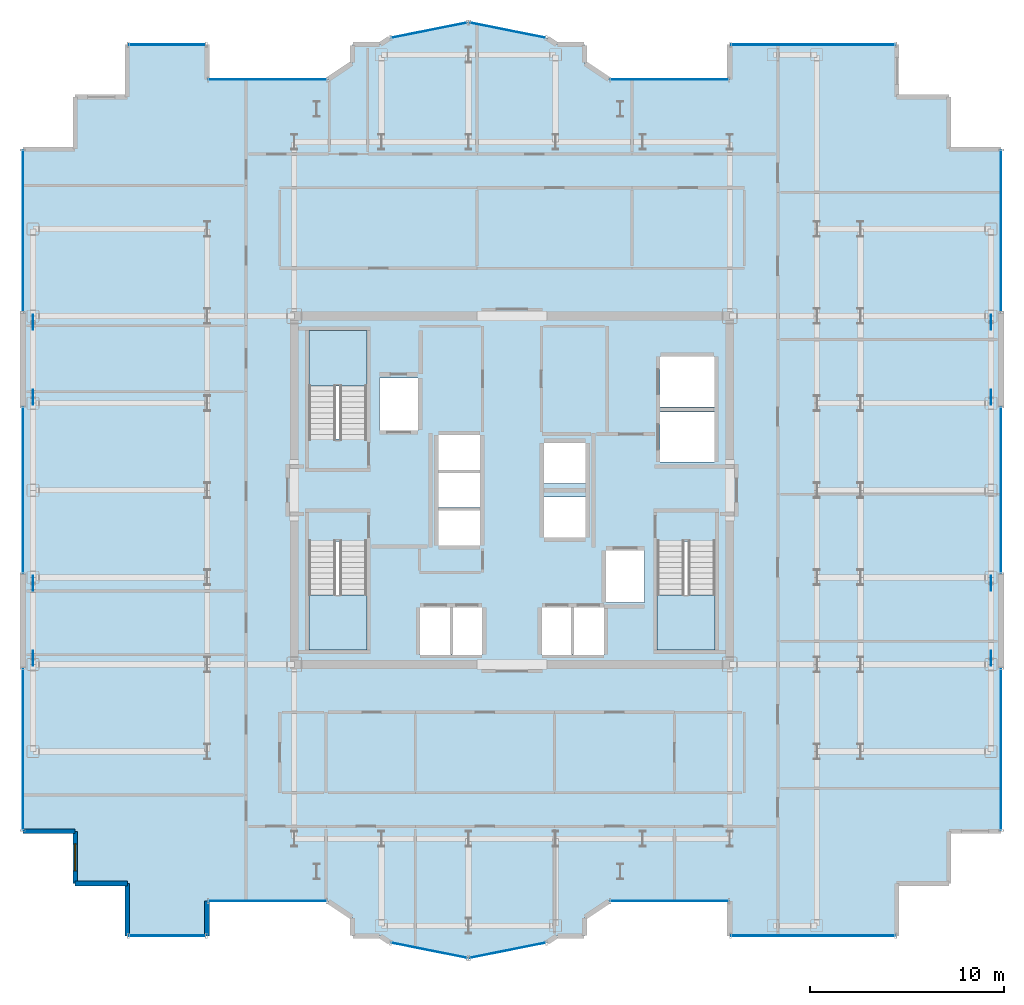
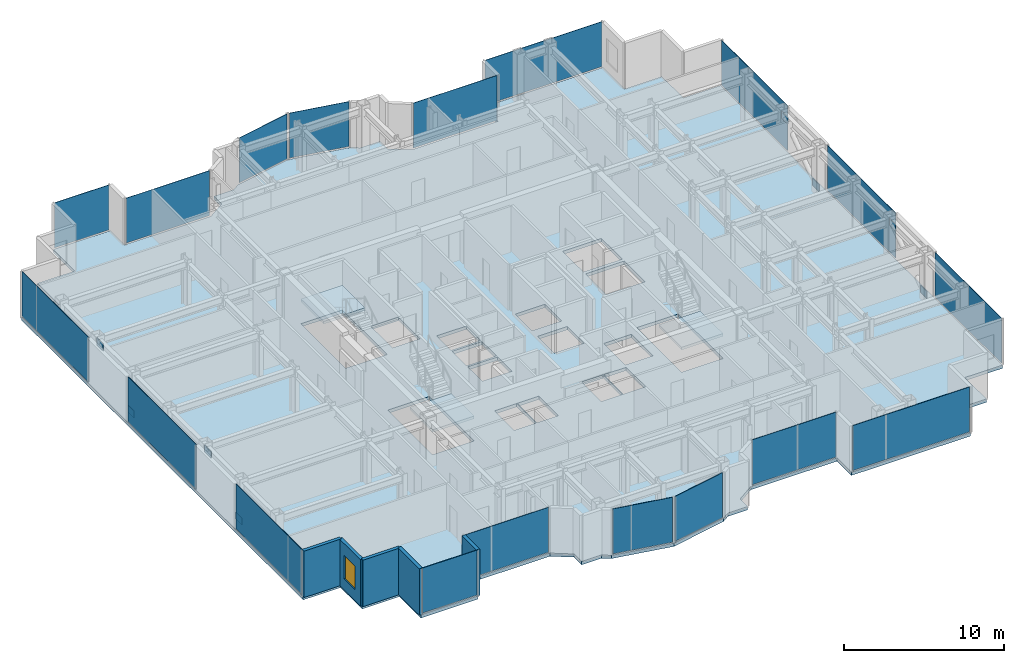
# One storey, part 14 of 21: 26 plates, 5 walls, 4 slabs, 1 window, 1 opening, 21 elements without a shape of their own.
"""IFC4 building model written with IfcOpenShell, lengths in metres."""

from ifc_helpers import new_model, si_unit, direction, frame, frame_2d, origin, origin_2d, place, context, subcontext, project, spatial, polyline, rectangle, outline, extrude, source, transform, mapped, material, layer, layer_set, type_object, element, fill, aggregate, save


model = new_model("IFC4")

# Units and contexts
model_context = context("Model", 3, precision=1e-05, world=origin(), true_north=direction((0.0, 1.0)))
body_context = subcontext(model_context, "Body", "Model", "MODEL_VIEW")
ifc_project = project(units=[si_unit("LENGTHUNIT", "METRE"), si_unit("AREAUNIT", "SQUARE_METRE"), si_unit("VOLUMEUNIT", "CUBIC_METRE"), si_unit("PLANEANGLEUNIT", "RADIAN"), si_unit("MASSUNIT", "GRAM", prefix="KILO")], contexts=[model_context])

# Site, building, storey
site_placement = place(None, origin())
site = spatial("IfcSite", under=ifc_project, at=site_placement, CompositionType="ELEMENT")
building_placement = place(site_placement, origin())
building = spatial("IfcBuilding", under=site, at=building_placement, Name="Nefas-Gora Pilgrimage Tower", CompositionType="ELEMENT")
storey_placement = place(building_placement, frame((0.0, 0.0, 229.39990234375)))
storey = spatial("IfcBuildingStorey", under=building, at=storey_placement, Name="L57", CompositionType="ELEMENT", Elevation=229.39990234375)

# Slab
ifc_material_1 = material(Name="Concrete C40/50", Category="concrete")
ifc_layer_1 = layer(ifc_material_1, 0.25)
ifc_layer_set_1 = layer_set([ifc_layer_1], Name="Concrete C40/50")
slab_type_1 = type_object("IfcSlabType", Name="SLB-TWR-260", PredefinedType="FLOOR", material=ifc_layer_set_1)
slab_1_placement = place(storey_placement, frame((0.0, 0.0, -0.25)))
element("IfcSlab", 1, at=slab_1_placement, inside=storey, type_object=slab_type_1, Name="L57 Structural Floor Slab", PredefinedType="FLOOR", context=body_context, shape_type="SweptSolid", body=[
    extrude(outline(polyline([(5.01806640625, -21.219970703125), (11.25, -21.219970703125), (11.25, -23.02001953125), (19.8701171875, -23.02001953125), (19.8701171875, -20.320068359375), (22.570068359375, -20.320068359375), (22.570068359375, -17.6201171875), (25.27001953125, -17.6201171875), (25.27001953125, 17.6201171875), (22.570068359375, 17.6201171875), (22.570068359375, 20.320068359375), (19.8701171875, 20.320068359375), (19.8701171875, 23.02001953125), (11.25, 23.02001953125), (11.25, 21.219970703125), (5.01806640625, 21.219970703125), (3.75, 22.0673828125), (3.75, 23.02001953125), (2.32421875, 23.02001953125), (1.807373046875, 23.365234375), (-2.25, 24.17236328125), (-6.307373046875, 23.365234375), (-6.82421875, 23.02001953125), (-8.25, 23.02001953125), (-8.25, 22.0673828125), (-9.51806640625, 21.219970703125), (-15.75, 21.219970703125), (-15.75, 23.02001953125), (-19.8701171875, 23.02001953125), (-19.8701171875, 20.320068359375), (-22.570068359375, 20.320068359375), (-22.570068359375, 17.6201171875), (-25.27001953125, 17.6201171875), (-25.27001953125, -17.6201171875), (-22.570068359375, -17.6201171875), (-22.570068359375, -20.320068359375), (-19.8701171875, -20.320068359375), (-19.8701171875, -23.02001953125), (-15.75, -23.02001953125), (-15.75, -21.219970703125), (-9.51806640625, -21.219970703125), (-8.25, -22.0673828125), (-8.25, -23.02001953125), (-6.82421875, -23.02001953125), (-6.307373046875, -23.365234375), (-2.25, -24.17236328125), (1.807373046875, -23.365234375), (2.32421875, -23.02001953125), (3.75, -23.02001953125), (3.75, -22.0673828125), (5.01806640625, -21.219970703125)]), holes=[polyline([(-10.5, 2.639892578125), (-10.5, 8.25), (-7.5, 8.25), (-7.5, 2.639892578125), (-10.5, 2.639892578125)]), polyline([(10.5, -2.639892578125), (10.5, -8.25), (7.5, -8.25), (7.5, -2.639892578125), (10.5, -2.639892578125)]), polyline([(-7.5, -2.639892578125), (-7.5, -8.25), (-10.5, -8.25), (-10.5, -2.639892578125), (-7.5, -2.639892578125)]), polyline([(-6.85009765625, 5.800048828125), (-4.85009765625, 5.800048828125), (-4.85009765625, 3.10009765625), (-6.85009765625, 3.10009765625), (-6.85009765625, 5.800048828125)]), polyline([(4.85009765625, -3.10009765625), (6.85009765625, -3.10009765625), (6.85009765625, -5.800048828125), (4.85009765625, -5.800048828125), (4.85009765625, -3.10009765625)]), polyline([(7.64990234375, 4.050048828125), (10.449951171875, 4.050048828125), (10.449951171875, 1.449951171875), (7.64990234375, 1.449951171875), (7.64990234375, 4.050048828125)]), polyline([(7.64990234375, 6.89990234375), (10.449951171875, 6.89990234375), (10.449951171875, 4.300048828125), (7.64990234375, 4.300048828125), (7.64990234375, 6.89990234375)]), polyline([(-4.75, -6.050048828125), (-3.14990234375, -6.050048828125), (-3.14990234375, -8.5), (-4.75, -8.5), (-4.75, -6.050048828125)]), polyline([(-3.10009765625, -6.050048828125), (-1.550048828125, -6.050048828125), (-1.550048828125, -8.5), (-3.10009765625, -8.5), (-3.10009765625, -6.050048828125)]), polyline([(1.550048828125, -6.050048828125), (3.10009765625, -6.050048828125), (3.10009765625, -8.5), (1.550048828125, -8.5), (1.550048828125, -6.050048828125)]), polyline([(3.14990234375, -6.050048828125), (4.75, -6.050048828125), (4.75, -8.5), (3.14990234375, -8.5), (3.14990234375, -6.050048828125)]), polyline([(-3.800048828125, -1.050048828125), (-1.64990234375, -1.050048828125), (-1.64990234375, -2.85009765625), (-3.800048828125, -2.85009765625), (-3.800048828125, -1.050048828125)]), polyline([(-3.800048828125, 0.89990234375), (-1.64990234375, 0.89990234375), (-1.64990234375, -0.89990234375), (-3.800048828125, -0.89990234375), (-3.800048828125, 0.89990234375)]), polyline([(-3.800048828125, 2.85009765625), (-1.64990234375, 2.85009765625), (-1.64990234375, 1.050048828125), (-3.800048828125, 1.050048828125), (-3.800048828125, 2.85009765625)]), polyline([(1.64990234375, -0.35009765625), (3.800048828125, -0.35009765625), (3.800048828125, -2.449951171875), (1.64990234375, -2.449951171875), (1.64990234375, -0.35009765625)]), polyline([(1.64990234375, 2.449951171875), (3.800048828125, 2.449951171875), (3.800048828125, 0.35009765625), (1.64990234375, 0.35009765625), (1.64990234375, 2.449951171875)])]), origin(), (0.0, 0.0, 1.0), 0.25),
])

# Stair, slab
ifc_material_2 = material(Name="Concrete C45/55", Category="concrete")
stair_type = type_object("IfcStairType", Name="STR-1400-R1727", PredefinedType="HALF_TURN_STAIR", material=ifc_material_2)
stair_1_placement = place(storey_placement, origin())
stair_1 = element("IfcStair", 2, at=stair_1_placement, inside=storey, type_object=stair_type, Name="L57 Pressurised Tower Exit Stair ST-01", PredefinedType="HALF_TURN_STAIR")
ifc_layer_2 = layer(ifc_material_1, 0.199951171875)
ifc_layer_set_2 = layer_set([ifc_layer_2], Name="Concrete C40/50")
slab_type_2 = type_object("IfcSlabType", Name="STR-LAND-200", PredefinedType="LANDING", material=ifc_layer_set_2)
slab_2_placement = place(storey_placement, frame((0.0, 0.0, 1.7001953125)))
slab_2 = element("IfcSlab", 3, at=slab_2_placement, type_object=slab_type_2, Name="ST-01 landing 1", PredefinedType="LANDING", context=body_context, shape_type="SweptSolid", body=[
    extrude(outline(polyline([(-7.5, 5.39990234375), (-7.5, 8.25), (-10.5, 8.25), (-10.5, 5.39990234375), (-7.5, 5.39990234375)])), origin(), (0.0, 0.0, 1.0), 0.199951171875),
])
aggregate(stair_1, [slab_2])

stair_2_placement = place(storey_placement, origin())
stair_2 = element("IfcStair", 4, at=stair_2_placement, inside=storey, type_object=stair_type, Name="L57 Pressurised Tower Exit Stair ST-02", PredefinedType="HALF_TURN_STAIR")
slab_3_placement = place(storey_placement, frame((0.0, 0.0, 1.7001953125)))
slab_3 = element("IfcSlab", 5, at=slab_3_placement, type_object=slab_type_2, Name="ST-02 landing 1", PredefinedType="LANDING", context=body_context, shape_type="SweptSolid", body=[
    extrude(outline(polyline([(7.5, -5.39990234375), (7.5, -8.25), (10.5, -8.25), (10.5, -5.39990234375), (7.5, -5.39990234375)])), origin(), (0.0, 0.0, 1.0), 0.199951171875),
])
aggregate(stair_2, [slab_3])

stair_3_placement = place(storey_placement, origin())
stair_3 = element("IfcStair", 6, at=stair_3_placement, inside=storey, type_object=stair_type, Name="L57 Pressurised Tower Exit Stair ST-03", PredefinedType="HALF_TURN_STAIR")
slab_4_placement = place(storey_placement, frame((0.0, 0.0, 1.7001953125)))
slab_4 = element("IfcSlab", 7, at=slab_4_placement, type_object=slab_type_2, Name="ST-03 landing 1", PredefinedType="LANDING", context=body_context, shape_type="SweptSolid", body=[
    extrude(outline(polyline([(-10.5, -5.39990234375), (-10.5, -8.25), (-7.5, -8.25), (-7.5, -5.39990234375), (-10.5, -5.39990234375)])), origin(), (0.0, 0.0, 1.0), 0.199951171875),
])
aggregate(stair_3, [slab_4])

# Plates
ifc_material_3 = material(Name="Steel S460", Category="steel")
ifc_layer_3 = layer(ifc_material_3, 0.050048828125)
ifc_layer_set_3 = layer_set([ifc_layer_3], Name="Steel S460")
plate_type_1 = type_object("IfcPlateType", Name="PLT-NODE-N08", PredefinedType="USERDEFINED", material=ifc_layer_set_3)
shared_shape_1 = source(origin(), body_context, "Body", "SweptSolid", [
    extrude(rectangle(XDim=0.780029296875, YDim=0.0380859375, at=origin_2d()), origin(), (0.0, 0.0, 1.0), 0.5400390625),
])
for number, where, z_axis, x_axis, name in (
    (8, (-24.75, -8.68701171875, 0.10400390625), (0.0, 0.0, 1.0), (0.0, 1.0, 0.0), "Structural Node Gusset Plate N08 (L57)"),
    (9, (-24.75, -4.81298828125, 2.8759765625), (0.0, 0.0, 1.0), (0.0, 1.0, 0.0), "Structural Node Gusset Plate N08 (L57)"),
    (10, (-24.75, 4.81298828125, 0.10400390625), (0.0, 0.0, 1.0), (0.0, 1.0, 0.0), "Structural Node Gusset Plate N08 (L57)"),
    (11, (-24.75, 8.68701171875, 2.8759765625), (0.0, 0.0, 1.0), (0.0, 1.0, 0.0), "Structural Node Gusset Plate N08 (L57)"),
    (12, (24.75, -8.68701171875, 0.10400390625), (0.0, 0.0, 1.0), (0.0, 1.0, 0.0), "Structural Node Gusset Plate N08 (L57)"),
    (13, (24.75, -4.81298828125, 2.8759765625), (0.0, 0.0, 1.0), (0.0, 1.0, 0.0), "Structural Node Gusset Plate N08 (L57)"),
    (14, (24.75, 4.81298828125, 0.10400390625), (0.0, 0.0, 1.0), (0.0, 1.0, 0.0), "Structural Node Gusset Plate N08 (L57)"),
    (15, (24.75, 8.68701171875, 2.8759765625), (0.0, 0.0, 1.0), (0.0, 1.0, 0.0), "Structural Node Gusset Plate N08 (L57)"),
):
    element("IfcPlate", number, at=place(storey_placement, frame(where, z_axis=z_axis, x_axis=x_axis)), inside=storey, type_object=plate_type_1, Name=name, ObjectType="GUSSET_PLATE", PredefinedType="USERDEFINED", context=body_context, shape_type="MappedRepresentation", body=[
        mapped(shared_shape_1, transform((0.0, 0.0, 0.0), x_axis=(1.0, 0.0, 0.0), y_axis=(0.0, 1.0, 0.0), z_axis=(0.0, 0.0, 1.0), scale=1.0)),
    ])

# Curtain wall, plate
ifc_material_4 = material(Name="Dark ceramic-fritted solar-control aluminium-glass curtain wall", Category="aluminium")
ifc_layer_4 = layer(ifc_material_4, 0.219970703125)
ifc_layer_set_4 = layer_set([ifc_layer_4], Name="Dark ceramic-fritted solar-control aluminium-glass curtain wall")
curtain_wall_type_1 = type_object("IfcCurtainWallType", Name="CW-SYS-5", PredefinedType="NOTDEFINED", material=ifc_layer_set_4)
curtain_wall_1_placement = place(storey_placement, origin())
curtain_wall_1 = element("IfcCurtainWall", 16, at=curtain_wall_1_placement, inside=storey, type_object=curtain_wall_type_1, Name="L57 Unitised Curtain Wall CW5", PredefinedType="NOTDEFINED")
ifc_material_5 = material(Name="Dark ceramic-printed low-e insulated glass", Category="glass")
ifc_layer_5 = layer(ifc_material_5, 0.028076171875)
ifc_layer_set_5 = layer_set([ifc_layer_5], Name="Dark ceramic-printed low-e insulated glass")
plate_type_2 = type_object("IfcPlateType", Name="CWP-PNL-5", PredefinedType="CURTAIN_PANEL", material=ifc_layer_set_5)
shared_shape_2 = source(origin(), body_context, "Body", "SweptSolid", [
    extrude(rectangle(XDim=6.052001953125, YDim=0.028076171875, at=origin_2d()), origin(), (0.0, 0.0, 1.0), 3.43994140625),
])
plate_1_placement = place(storey_placement, frame((8.134033203125, -21.219970703125, 0.10009765625), z_axis=(0.0, 0.0, 1.0), x_axis=(1.0, 0.0, 0.0)))
plate_1 = element("IfcPlate", 17, at=plate_1_placement, type_object=plate_type_2, Name="CW5 Ceramic-Fritted Glazing Panel 1", PredefinedType="CURTAIN_PANEL", context=body_context, shape_type="MappedRepresentation", body=[
    mapped(shared_shape_2, transform((0.0, 0.0, 0.0), x_axis=(1.0, 0.0, 0.0), y_axis=(0.0, 1.0, 0.0), z_axis=(0.0, 0.0, 1.0), scale=1.0)),
])
aggregate(curtain_wall_1, [plate_1])

curtain_wall_2_placement = place(storey_placement, origin())
curtain_wall_2 = element("IfcCurtainWall", 18, at=curtain_wall_2_placement, inside=storey, type_object=curtain_wall_type_1, Name="L57 Unitised Curtain Wall CW5", PredefinedType="NOTDEFINED")
plate_2_placement = place(storey_placement, frame((8.134033203125, 21.219970703125, 0.10009765625), z_axis=(0.0, 0.0, 1.0), x_axis=(-1.0, 0.0, 0.0)))
plate_2 = element("IfcPlate", 19, at=plate_2_placement, type_object=plate_type_2, Name="CW5 Ceramic-Fritted Glazing Panel 1", PredefinedType="CURTAIN_PANEL", context=body_context, shape_type="MappedRepresentation", body=[
    mapped(shared_shape_2, transform((0.0, 0.0, 0.0), x_axis=(1.0, 0.0, 0.0), y_axis=(0.0, 1.0, 0.0), z_axis=(0.0, 0.0, 1.0), scale=1.0)),
])
aggregate(curtain_wall_2, [plate_2])

curtain_wall_3_placement = place(storey_placement, origin())
curtain_wall_3 = element("IfcCurtainWall", 20, at=curtain_wall_3_placement, inside=storey, type_object=curtain_wall_type_1, Name="L57 Unitised Curtain Wall CW5", PredefinedType="NOTDEFINED")
plate_3_placement = place(storey_placement, frame((-12.634033203125, 21.219970703125, 0.10009765625), z_axis=(0.0, 0.0, 1.0), x_axis=(-1.0, 0.0, 0.0)))
plate_3 = element("IfcPlate", 21, at=plate_3_placement, type_object=plate_type_2, Name="CW5 Ceramic-Fritted Glazing Panel 1", PredefinedType="CURTAIN_PANEL", context=body_context, shape_type="MappedRepresentation", body=[
    mapped(shared_shape_2, transform((0.0, 0.0, 0.0), x_axis=(1.0, 0.0, 0.0), y_axis=(0.0, 1.0, 0.0), z_axis=(0.0, 0.0, 1.0), scale=1.0)),
])
aggregate(curtain_wall_3, [plate_3])

curtain_wall_4_placement = place(storey_placement, origin())
curtain_wall_4 = element("IfcCurtainWall", 22, at=curtain_wall_4_placement, inside=storey, type_object=curtain_wall_type_1, Name="L57 Unitised Curtain Wall CW5", PredefinedType="NOTDEFINED")
plate_4_placement = place(storey_placement, frame((-12.634033203125, -21.219970703125, 0.10009765625), z_axis=(0.0, 0.0, 1.0), x_axis=(1.0, 0.0, 0.0)))
plate_4 = element("IfcPlate", 23, at=plate_4_placement, type_object=plate_type_2, Name="CW5 Ceramic-Fritted Glazing Panel 1", PredefinedType="CURTAIN_PANEL", context=body_context, shape_type="MappedRepresentation", body=[
    mapped(shared_shape_2, transform((0.0, 0.0, 0.0), x_axis=(1.0, 0.0, 0.0), y_axis=(0.0, 1.0, 0.0), z_axis=(0.0, 0.0, 1.0), scale=1.0)),
])
aggregate(curtain_wall_4, [plate_4])

curtain_wall_5_placement = place(storey_placement, origin())
curtain_wall_5 = element("IfcCurtainWall", 24, at=curtain_wall_5_placement, inside=storey, type_object=curtain_wall_type_1, Name="L57 Unitised Curtain Wall CW5", PredefinedType="NOTDEFINED")
shared_shape_3 = source(origin(), body_context, "Body", "SweptSolid", [
    extrude(rectangle(XDim=3.956787109375, YDim=0.028076171875, at=origin_2d()), origin(), (0.0, 0.0, 1.0), 3.43994140625),
])
plate_5_placement = place(storey_placement, frame((-0.22119140625, 23.768798828125, 0.10009765625), z_axis=(0.0, 0.0, 1.0), x_axis=(-0.980782896852, 0.195102304554, 0.0)))
plate_5 = element("IfcPlate", 25, at=plate_5_placement, type_object=plate_type_2, Name="CW5 Ceramic-Fritted Glazing Panel 1", PredefinedType="CURTAIN_PANEL", context=body_context, shape_type="MappedRepresentation", body=[
    mapped(shared_shape_3, transform((0.0, 0.0, 0.0), x_axis=(1.0, 0.0, 0.0), y_axis=(0.0, 1.0, 0.0), z_axis=(0.0, 0.0, 1.0), scale=1.0)),
])
aggregate(curtain_wall_5, [plate_5])

curtain_wall_6_placement = place(storey_placement, origin())
curtain_wall_6 = element("IfcCurtainWall", 26, at=curtain_wall_6_placement, inside=storey, type_object=curtain_wall_type_1, Name="L57 Unitised Curtain Wall CW5", PredefinedType="NOTDEFINED")
plate_6_placement = place(storey_placement, frame((-4.278564453125, 23.768798828125, 0.10009765625), z_axis=(0.0, 0.0, 1.0), x_axis=(-0.980782896852, -0.195102304554, 0.0)))
plate_6 = element("IfcPlate", 27, at=plate_6_placement, type_object=plate_type_2, Name="CW5 Ceramic-Fritted Glazing Panel 1", PredefinedType="CURTAIN_PANEL", context=body_context, shape_type="MappedRepresentation", body=[
    mapped(shared_shape_3, transform((0.0, 0.0, 0.0), x_axis=(1.0, 0.0, 0.0), y_axis=(0.0, 1.0, 0.0), z_axis=(0.0, 0.0, 1.0), scale=1.0)),
])
aggregate(curtain_wall_6, [plate_6])

curtain_wall_7_placement = place(storey_placement, origin())
curtain_wall_7 = element("IfcCurtainWall", 28, at=curtain_wall_7_placement, inside=storey, type_object=curtain_wall_type_1, Name="L57 Unitised Curtain Wall CW5", PredefinedType="NOTDEFINED")
plate_7_placement = place(storey_placement, frame((-4.278564453125, -23.768798828125, 0.10009765625), z_axis=(0.0, 0.0, 1.0), x_axis=(0.980782896852, -0.195102304554, 0.0)))
plate_7 = element("IfcPlate", 29, at=plate_7_placement, type_object=plate_type_2, Name="CW5 Ceramic-Fritted Glazing Panel 1", PredefinedType="CURTAIN_PANEL", context=body_context, shape_type="MappedRepresentation", body=[
    mapped(shared_shape_3, transform((0.0, 0.0, 0.0), x_axis=(1.0, 0.0, 0.0), y_axis=(0.0, 1.0, 0.0), z_axis=(0.0, 0.0, 1.0), scale=1.0)),
])
aggregate(curtain_wall_7, [plate_7])

curtain_wall_8_placement = place(storey_placement, origin())
curtain_wall_8 = element("IfcCurtainWall", 30, at=curtain_wall_8_placement, inside=storey, type_object=curtain_wall_type_1, Name="L57 Unitised Curtain Wall CW5", PredefinedType="NOTDEFINED")
plate_8_placement = place(storey_placement, frame((-0.221435546875, -23.768798828125, 0.10009765625), z_axis=(0.0, 0.0, 1.0), x_axis=(0.980782896852, 0.195102304554, 0.0)))
plate_8 = element("IfcPlate", 31, at=plate_8_placement, type_object=plate_type_2, Name="CW5 Ceramic-Fritted Glazing Panel 1", PredefinedType="CURTAIN_PANEL", context=body_context, shape_type="MappedRepresentation", body=[
    mapped(shared_shape_3, transform((0.0, 0.0, 0.0), x_axis=(1.0, 0.0, 0.0), y_axis=(0.0, 1.0, 0.0), z_axis=(0.0, 0.0, 1.0), scale=1.0)),
])
aggregate(curtain_wall_8, [plate_8])

ifc_layer_6 = layer(ifc_material_4, 0.219970703125)
ifc_layer_set_6 = layer_set([ifc_layer_6], Name="Dark ceramic-fritted solar-control aluminium-glass curtain wall")
curtain_wall_type_2 = type_object("IfcCurtainWallType", Name="CW-SYS-3", PredefinedType="NOTDEFINED", material=ifc_layer_set_6)
curtain_wall_9_placement = place(storey_placement, origin())
curtain_wall_9 = element("IfcCurtainWall", 32, at=curtain_wall_9_placement, inside=storey, type_object=curtain_wall_type_2, Name="L57 Unitised Curtain Wall CW3", PredefinedType="NOTDEFINED")
ifc_layer_7 = layer(ifc_material_5, 0.033935546875)
ifc_layer_set_7 = layer_set([ifc_layer_7], Name="Dark ceramic-printed low-e insulated glass")
plate_type_3 = type_object("IfcPlateType", Name="CWP-PNL-3", PredefinedType="CURTAIN_PANEL", material=ifc_layer_set_7)
shared_shape_4 = source(origin(), body_context, "Body", "SweptSolid", [
    extrude(rectangle(XDim=8.43994140625, YDim=0.033935546875, at=origin_2d()), origin(), (0.0, 0.0, 1.0), 3.43994140625),
])
plate_9_placement = place(storey_placement, frame((15.56005859375, -23.02001953125, 0.10009765625), z_axis=(0.0, 0.0, 1.0), x_axis=(1.0, 0.0, 0.0)))
plate_9 = element("IfcPlate", 33, at=plate_9_placement, type_object=plate_type_3, Name="CW3 Ceramic-Fritted Glazing Panel 1", PredefinedType="CURTAIN_PANEL", context=body_context, shape_type="MappedRepresentation", body=[
    mapped(shared_shape_4, transform((0.0, 0.0, 0.0), x_axis=(1.0, 0.0, 0.0), y_axis=(0.0, 1.0, 0.0), z_axis=(0.0, 0.0, 1.0), scale=1.0)),
])
aggregate(curtain_wall_9, [plate_9])

curtain_wall_10_placement = place(storey_placement, origin())
curtain_wall_10 = element("IfcCurtainWall", 34, at=curtain_wall_10_placement, inside=storey, type_object=curtain_wall_type_2, Name="L57 Unitised Curtain Wall CW3", PredefinedType="NOTDEFINED")
plate_10_placement = place(storey_placement, frame((15.56005859375, 23.02001953125, 0.10009765625), z_axis=(0.0, 0.0, 1.0), x_axis=(-1.0, 0.0, 0.0)))
plate_10 = element("IfcPlate", 35, at=plate_10_placement, type_object=plate_type_3, Name="CW3 Ceramic-Fritted Glazing Panel 1", PredefinedType="CURTAIN_PANEL", context=body_context, shape_type="MappedRepresentation", body=[
    mapped(shared_shape_4, transform((0.0, 0.0, 0.0), x_axis=(1.0, 0.0, 0.0), y_axis=(0.0, 1.0, 0.0), z_axis=(0.0, 0.0, 1.0), scale=1.0)),
])
aggregate(curtain_wall_10, [plate_10])

curtain_wall_11_placement = place(storey_placement, origin())
curtain_wall_11 = element("IfcCurtainWall", 36, at=curtain_wall_11_placement, inside=storey, type_object=curtain_wall_type_2, Name="L57 Unitised Curtain Wall CW3", PredefinedType="NOTDEFINED")
shared_shape_5 = source(origin(), body_context, "Body", "SweptSolid", [
    extrude(rectangle(XDim=8.2900390625, YDim=0.033935546875, at=origin_2d()), origin(), (0.0, 0.0, 1.0), 3.43994140625),
])
plate_11_placement = place(storey_placement, frame((25.27001953125, -13.385009765625, 0.10009765625), z_axis=(0.0, 0.0, 1.0), x_axis=(0.0, 1.0, 0.0)))
plate_11 = element("IfcPlate", 37, at=plate_11_placement, type_object=plate_type_3, Name="CW3 Ceramic-Fritted Glazing Panel 1", PredefinedType="CURTAIN_PANEL", context=body_context, shape_type="MappedRepresentation", body=[
    mapped(shared_shape_5, transform((0.0, 0.0, 0.0), x_axis=(1.0, 0.0, 0.0), y_axis=(0.0, 1.0, 0.0), z_axis=(0.0, 0.0, 1.0), scale=1.0)),
])
aggregate(curtain_wall_11, [plate_11])

curtain_wall_12_placement = place(storey_placement, origin())
curtain_wall_12 = element("IfcCurtainWall", 38, at=curtain_wall_12_placement, inside=storey, type_object=curtain_wall_type_2, Name="L57 Unitised Curtain Wall CW3", PredefinedType="NOTDEFINED")
plate_12_placement = place(storey_placement, frame((25.27001953125, 13.385009765625, 0.10009765625), z_axis=(0.0, 0.0, 1.0), x_axis=(0.0, 1.0, 0.0)))
plate_12 = element("IfcPlate", 39, at=plate_12_placement, type_object=plate_type_3, Name="CW3 Ceramic-Fritted Glazing Panel 1", PredefinedType="CURTAIN_PANEL", context=body_context, shape_type="MappedRepresentation", body=[
    mapped(shared_shape_5, transform((0.0, 0.0, 0.0), x_axis=(1.0, 0.0, 0.0), y_axis=(0.0, 1.0, 0.0), z_axis=(0.0, 0.0, 1.0), scale=1.0)),
])
aggregate(curtain_wall_12, [plate_12])

curtain_wall_13_placement = place(storey_placement, origin())
curtain_wall_13 = element("IfcCurtainWall", 40, at=curtain_wall_13_placement, inside=storey, type_object=curtain_wall_type_2, Name="L57 Unitised Curtain Wall CW3", PredefinedType="NOTDEFINED")
plate_13_placement = place(storey_placement, frame((-25.27001953125, 13.385009765625, 0.10009765625), z_axis=(0.0, 0.0, 1.0), x_axis=(0.0, -1.0, 0.0)))
plate_13 = element("IfcPlate", 41, at=plate_13_placement, type_object=plate_type_3, Name="CW3 Ceramic-Fritted Glazing Panel 1", PredefinedType="CURTAIN_PANEL", context=body_context, shape_type="MappedRepresentation", body=[
    mapped(shared_shape_5, transform((0.0, 0.0, 0.0), x_axis=(1.0, 0.0, 0.0), y_axis=(0.0, 1.0, 0.0), z_axis=(0.0, 0.0, 1.0), scale=1.0)),
])
aggregate(curtain_wall_13, [plate_13])

curtain_wall_14_placement = place(storey_placement, origin())
curtain_wall_14 = element("IfcCurtainWall", 42, at=curtain_wall_14_placement, inside=storey, type_object=curtain_wall_type_2, Name="L57 Unitised Curtain Wall CW3", PredefinedType="NOTDEFINED")
plate_14_placement = place(storey_placement, frame((-25.27001953125, -13.385009765625, 0.10009765625), z_axis=(0.0, 0.0, 1.0), x_axis=(0.0, -1.0, 0.0)))
plate_14 = element("IfcPlate", 43, at=plate_14_placement, type_object=plate_type_3, Name="CW3 Ceramic-Fritted Glazing Panel 1", PredefinedType="CURTAIN_PANEL", context=body_context, shape_type="MappedRepresentation", body=[
    mapped(shared_shape_5, transform((0.0, 0.0, 0.0), x_axis=(1.0, 0.0, 0.0), y_axis=(0.0, 1.0, 0.0), z_axis=(0.0, 0.0, 1.0), scale=1.0)),
])
aggregate(curtain_wall_14, [plate_14])

curtain_wall_15_placement = place(storey_placement, origin())
curtain_wall_15 = element("IfcCurtainWall", 44, at=curtain_wall_15_placement, inside=storey, type_object=curtain_wall_type_2, Name="L57 Unitised Curtain Wall CW3", PredefinedType="NOTDEFINED")
shared_shape_6 = source(origin(), body_context, "Body", "SweptSolid", [
    extrude(rectangle(XDim=8.52001953125, YDim=0.033935546875, at=origin_2d()), origin(), (0.0, 0.0, 1.0), 3.43994140625),
])
plate_15_placement = place(storey_placement, frame((25.27001953125, 0.0, 0.10009765625), z_axis=(0.0, 0.0, 1.0), x_axis=(0.0, 1.0, 0.0)))
plate_15 = element("IfcPlate", 45, at=plate_15_placement, type_object=plate_type_3, Name="CW3 Ceramic-Fritted Glazing Panel 1", PredefinedType="CURTAIN_PANEL", context=body_context, shape_type="MappedRepresentation", body=[
    mapped(shared_shape_6, transform((0.0, 0.0, 0.0), x_axis=(1.0, 0.0, 0.0), y_axis=(0.0, 1.0, 0.0), z_axis=(0.0, 0.0, 1.0), scale=1.0)),
])
aggregate(curtain_wall_15, [plate_15])

curtain_wall_16_placement = place(storey_placement, origin())
curtain_wall_16 = element("IfcCurtainWall", 46, at=curtain_wall_16_placement, inside=storey, type_object=curtain_wall_type_2, Name="L57 Unitised Curtain Wall CW3", PredefinedType="NOTDEFINED")
plate_16_placement = place(storey_placement, frame((-25.27001953125, 0.0, 0.10009765625), z_axis=(0.0, 0.0, 1.0), x_axis=(0.0, -1.0, 0.0)))
plate_16 = element("IfcPlate", 47, at=plate_16_placement, type_object=plate_type_3, Name="CW3 Ceramic-Fritted Glazing Panel 1", PredefinedType="CURTAIN_PANEL", context=body_context, shape_type="MappedRepresentation", body=[
    mapped(shared_shape_6, transform((0.0, 0.0, 0.0), x_axis=(1.0, 0.0, 0.0), y_axis=(0.0, 1.0, 0.0), z_axis=(0.0, 0.0, 1.0), scale=1.0)),
])
aggregate(curtain_wall_16, [plate_16])

curtain_wall_17_placement = place(storey_placement, origin())
curtain_wall_17 = element("IfcCurtainWall", 48, at=curtain_wall_17_placement, inside=storey, type_object=curtain_wall_type_2, Name="L57 Unitised Curtain Wall CW3", PredefinedType="NOTDEFINED")
shared_shape_7 = source(origin(), body_context, "Body", "SweptSolid", [
    extrude(rectangle(XDim=3.93994140625, YDim=0.033935546875, at=origin_2d()), origin(), (0.0, 0.0, 1.0), 3.43994140625),
])
plate_17_placement = place(storey_placement, frame((-17.81005859375, 23.02001953125, 0.10009765625), z_axis=(0.0, 0.0, 1.0), x_axis=(-1.0, 0.0, 0.0)))
plate_17 = element("IfcPlate", 49, at=plate_17_placement, type_object=plate_type_3, Name="CW3 Ceramic-Fritted Glazing Panel 1", PredefinedType="CURTAIN_PANEL", context=body_context, shape_type="MappedRepresentation", body=[
    mapped(shared_shape_7, transform((0.0, 0.0, 0.0), x_axis=(1.0, 0.0, 0.0), y_axis=(0.0, 1.0, 0.0), z_axis=(0.0, 0.0, 1.0), scale=1.0)),
])
aggregate(curtain_wall_17, [plate_17])

curtain_wall_18_placement = place(storey_placement, origin())
curtain_wall_18 = element("IfcCurtainWall", 50, at=curtain_wall_18_placement, inside=storey, type_object=curtain_wall_type_2, Name="L57 Unitised Curtain Wall CW3", PredefinedType="NOTDEFINED")
plate_18_placement = place(storey_placement, frame((-17.81005859375, -23.02001953125, 0.10009765625), z_axis=(0.0, 0.0, 1.0), x_axis=(1.0, 0.0, 0.0)))
plate_18 = element("IfcPlate", 51, at=plate_18_placement, type_object=plate_type_3, Name="CW3 Ceramic-Fritted Glazing Panel 1", PredefinedType="CURTAIN_PANEL", context=body_context, shape_type="MappedRepresentation", body=[
    mapped(shared_shape_7, transform((0.0, 0.0, 0.0), x_axis=(1.0, 0.0, 0.0), y_axis=(0.0, 1.0, 0.0), z_axis=(0.0, 0.0, 1.0), scale=1.0)),
])
aggregate(curtain_wall_18, [plate_18])

# Walls
ifc_material_6 = material(Name="Precast concrete C40/50", Category="concrete")
ifc_layer_8 = layer(ifc_material_6, 0.260009765625)
ifc_layer_set_8 = layer_set([ifc_layer_8], Name="Precast concrete C40/50")
wall_type_1 = type_object("IfcWallType", Name="EW-PORTAL-260", PredefinedType="SOLIDWALL", material=ifc_layer_set_8)
shared_shape_8 = source(origin(), body_context, "Body", "SweptSolid", [
    extrude(rectangle(XDim=1.800048828125, YDim=0.260009765625, at=frame_2d((0.89990234375, 0.0))), origin(), (0.0, 0.0, 1.0), 3.550048828125),
])
wall_1_placement = place(storey_placement, frame((-15.75, -23.02001953125, 0.0), z_axis=(0.0, 0.0, 1.0), x_axis=(0.0, 1.0, 0.0)))
element("IfcWall", 52, at=wall_1_placement, inside=storey, type_object=wall_type_1, Name="L57 Lobe Shoulder Precast Spandrel Pier 32", PredefinedType="SOLIDWALL", context=body_context, shape_type="MappedRepresentation", body=[
    mapped(shared_shape_8, transform((0.0, 0.0, 0.0), x_axis=(1.0, 0.0, 0.0), y_axis=(0.0, 1.0, 0.0), z_axis=(0.0, 0.0, 1.0), scale=1.0)),
])
ifc_material_7 = material(Name="Precast concrete C45/55", Category="concrete")
ifc_layer_9 = layer(ifc_material_7, 0.239990234375)
ifc_layer_set_9 = layer_set([ifc_layer_9], Name="Precast concrete C45/55")
wall_type_2 = type_object("IfcWallType", Name="EW-SERR-240", PredefinedType="SHEAR", material=ifc_layer_set_9)
shared_shape_9 = source(origin(), body_context, "Body", "SweptSolid", [
    extrude(rectangle(XDim=2.699951171875, YDim=0.239990234375, at=frame_2d((1.35009765625, 0.0))), origin(), (0.0, 0.0, 1.0), 3.550048828125),
])
wall_2_placement = place(storey_placement, frame((-25.27001953125, -17.6201171875, 0.0), z_axis=(0.0, 0.0, 1.0), x_axis=(1.0, 0.0, 0.0)))
element("IfcWall", 53, at=wall_2_placement, inside=storey, type_object=wall_type_2, Name="L57 Serrated Corner Shear Pier Wall 28", PredefinedType="SHEAR", context=body_context, shape_type="MappedRepresentation", body=[
    mapped(shared_shape_9, transform((0.0, 0.0, 0.0), x_axis=(1.0, 0.0, 0.0), y_axis=(0.0, 1.0, 0.0), z_axis=(0.0, 0.0, 1.0), scale=1.0)),
])

# Wall, opening, window
wall_3_placement = place(storey_placement, frame((-22.570068359375, -17.6201171875, 0.0), z_axis=(0.0, 0.0, 1.0), x_axis=(0.0, -1.0, 0.0)))
wall_3 = element("IfcWall", 54, at=wall_3_placement, inside=storey, type_object=wall_type_2, Name="L57 Serrated Corner Shear Pier Wall 29", PredefinedType="SHEAR", context=body_context, shape_type="MappedRepresentation", body=[
    mapped(shared_shape_9, transform((0.0, 0.0, 0.0), x_axis=(1.0, 0.0, 0.0), y_axis=(0.0, 1.0, 0.0), z_axis=(0.0, 0.0, 1.0), scale=1.0)),
])
opening_placement = place(wall_3_placement, frame((0.64990234375, 0.0, 0.85009765625)))
opening = element("IfcOpeningElement", 55, at=opening_placement, cuts=wall_3, Name="Opening W-V2", PredefinedType="OPENING", context=body_context, shape_type="SweptSolid", body=[
    extrude(rectangle(XDim=1.39990234375, YDim=1.800048828125, at=frame_2d((0.699951171875, 0.89990234375))), frame((0.0, 0.1298828125, 0.0), z_axis=(0.0, -1.0, 0.0), x_axis=(1.0, 0.0, 0.0)), (0.0, 0.0, 1.0), 0.260009765625),
])
ifc_material_8 = material(Name="Dark ceramic-fritted operable aluminium-glass window", Category="aluminium")
window_type = type_object("IfcWindowType", Name="WIN-VENT-1400x1800", PartitioningType="SINGLE_PANEL", PredefinedType="WINDOW", material=ifc_material_8)
shared_shape_10 = source(origin(), body_context, "Body", "SweptSolid", [
    extrude(rectangle(XDim=1.39990234375, YDim=1.800048828125, at=frame_2d((0.699951171875, 0.89990234375))), frame((0.0, 0.030029296875, 0.0), z_axis=(0.0, -1.0, 0.0), x_axis=(1.0, 0.0, 0.0)), (0.0, 0.0, 1.0), 0.06005859375),
])
window_placement = place(opening_placement, origin())
window = element("IfcWindow", 56, at=window_placement, inside=storey, type_object=window_type, Name="L57 Operable Parallel-Outswing Window 29", OverallHeight=1.800048828125, OverallWidth=1.39990234375, PartitioningType="SINGLE_PANEL", PredefinedType="WINDOW", context=body_context, shape_type="MappedRepresentation", body=[
    mapped(shared_shape_10, transform((0.0, 0.0, 0.0), x_axis=(1.0, 0.0, 0.0), y_axis=(0.0, 1.0, 0.0), z_axis=(0.0, 0.0, 1.0), scale=1.0)),
])
fill(opening, window)

# Walls
for number, where, z_axis, x_axis, name in (
    (57, (-22.570068359375, -20.320068359375, 0.0), (0.0, 0.0, 1.0), (1.0, 0.0, 0.0), "L57 Serrated Corner Shear Pier Wall 30"),
    (58, (-19.8701171875, -20.320068359375, 0.0), (0.0, 0.0, 1.0), (0.0, -1.0, 0.0), "L57 Serrated Corner Shear Pier Wall 31"),
):
    element("IfcWall", number, at=place(storey_placement, frame(where, z_axis=z_axis, x_axis=x_axis)), inside=storey, type_object=wall_type_2, Name=name, PredefinedType="SHEAR", context=body_context, shape_type="MappedRepresentation", body=[
        mapped(shared_shape_9, transform((0.0, 0.0, 0.0), x_axis=(1.0, 0.0, 0.0), y_axis=(0.0, 1.0, 0.0), z_axis=(0.0, 0.0, 1.0), scale=1.0)),
    ])

save(model, "model.ifc")
